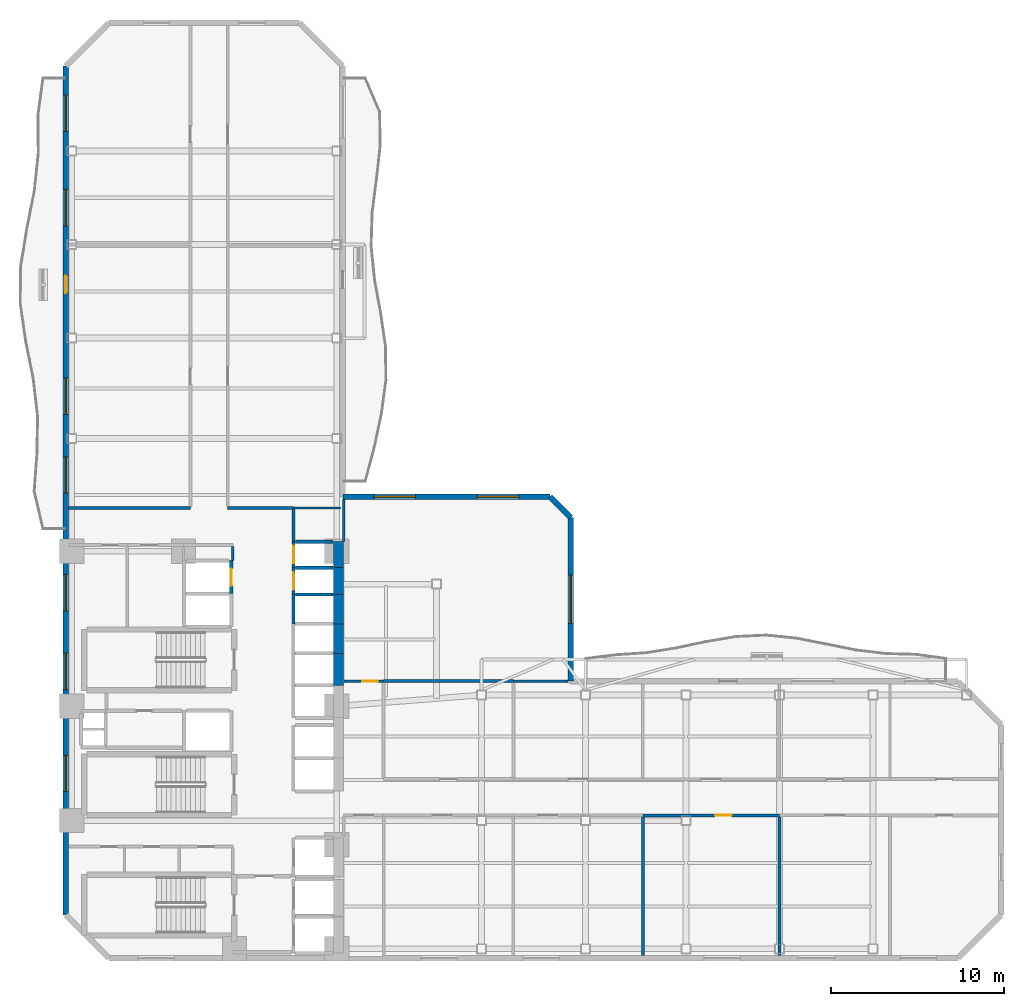
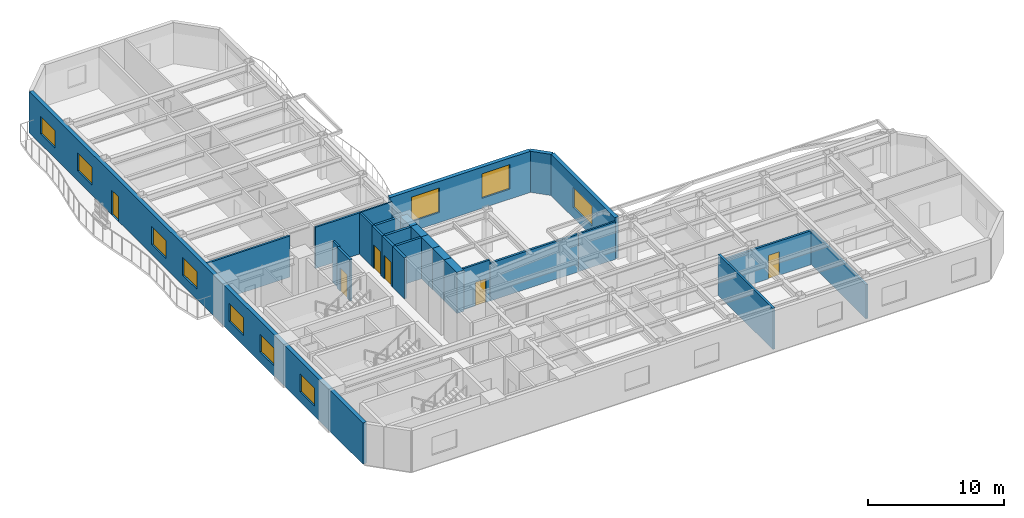
# One storey, part 5 of 10: 28 walls, 10 windows, 6 doors, 16 openings.
"""IFC4 building model written with IfcOpenShell, lengths in metres."""

from ifc_helpers import new_model, si_unit, direction, frame, frame_2d, origin, place, context, subcontext, project, spatial, rectangle, extrude, material, layer, layer_set, type_object, element, fill, save


model = new_model("IFC4")

# Units and contexts
model_context = context("Model", 3, precision=1e-05, world=origin(), true_north=direction((0.0, 1.0)))
body_context = subcontext(model_context, "Body", "Model", "MODEL_VIEW")
ifc_project = project(units=[si_unit("LENGTHUNIT", "METRE"), si_unit("AREAUNIT", "SQUARE_METRE"), si_unit("VOLUMEUNIT", "CUBIC_METRE"), si_unit("PLANEANGLEUNIT", "RADIAN"), si_unit("MASSUNIT", "GRAM", prefix="KILO")], contexts=[model_context])

# Site, building, storey
site_placement = place(None, origin())
site = spatial("IfcSite", under=ifc_project, at=site_placement, CompositionType="ELEMENT")
building_placement = place(site_placement, origin())
building = spatial("IfcBuilding", under=site, at=building_placement, Name="Mawjaban Terraces University", CompositionType="ELEMENT")
storey_placement = place(building_placement, frame((0.0, 0.0, 66.10009765625)))
storey = spatial("IfcBuildingStorey", under=building, at=storey_placement, Name="L15", CompositionType="ELEMENT", Elevation=66.10009765625)

# Wall
ifc_material_1 = material(Name="Acoustic masonry blockwork", Category="masonry")
ifc_layer_1 = layer(ifc_material_1, 0.179931640625)
ifc_layer_set_1 = layer_set([ifc_layer_1], Name="Acoustic masonry blockwork")
wall_type_1 = type_object("IfcWallType", Name="AcousticStudioWall_180", PredefinedType="PARTITIONING", material=ifc_layer_set_1)
wall_1_placement = place(storey_placement, frame((47.840087890625, 16.0, 0.0), z_axis=(0.0, 0.0, 1.0), x_axis=(-1.0, 0.0, 0.0)))
element("IfcWall", 1, at=wall_1_placement, inside=storey, type_object=wall_type_1, Name="L15 Design Studio 3 Partition 22", PredefinedType="PARTITIONING", context=body_context, shape_type="SweptSolid", body=[
    extrude(rectangle(XDim=7.489990234375, YDim=0.179931640625, at=frame_2d((3.7451171875, 0.0))), origin(), (0.0, 0.0, 1.0), 3.389892578125),
])

# Wall, opening, door
wall_2_placement = place(storey_placement, frame((55.320068359375, 8.25, 0.0), z_axis=(0.0, 0.0, 1.0), x_axis=(1.0, 0.0, 0.0)))
wall_2 = element("IfcWall", 2, at=wall_2_placement, inside=storey, type_object=wall_type_1, Name="L15 East Academic Spine Corridor Partition 23", PredefinedType="PARTITIONING", context=body_context, shape_type="SweptSolid", body=[
    extrude(rectangle(XDim=7.8798828125, YDim=0.179931640625, at=frame_2d((3.93994140625, 0.0))), origin(), (0.0, 0.0, 1.0), 3.054931640625),
])
opening_1_placement = place(wall_2_placement, frame((4.1650390625, 0.0, 0.0)))
opening_1 = element("IfcOpeningElement", 3, at=opening_1_placement, cuts=wall_2, Name="Opening ID-095", PredefinedType="OPENING", context=body_context, shape_type="SweptSolid", body=[
    extrude(rectangle(XDim=0.949951171875, YDim=2.10009765625, at=frame_2d((0.47509765625, 1.050048828125))), frame((0.0, 0.099853515625, 0.0), z_axis=(0.0, -1.0, 0.0), x_axis=(1.0, 0.0, 0.0)), (0.0, 0.0, 1.0), 0.199951171875),
])
ifc_material_2 = material(Name="Powder-coated steel frame and solid acoustic timber leaf", Category="steel")
door_type_1 = type_object("IfcDoorType", Name="StudioDoor_950x2100", OperationType="NOTDEFINED", PredefinedType="DOOR", material=ifc_material_2)
door_1_placement = place(opening_1_placement, origin())
door_1 = element("IfcDoor", 4, at=door_1_placement, inside=storey, type_object=door_type_1, Name="L15 Design Studio 6 Door", OperationType="SINGLE_SWING_RIGHT", OverallHeight=2.10009765625, OverallWidth=0.949951171875, PredefinedType="DOOR", context=body_context, shape_type="SweptSolid", body=[
    extrude(rectangle(XDim=0.949951171875, YDim=2.10009765625, at=frame_2d((0.47509765625, 1.050048828125))), frame((0.0, 0.02490234375, 0.0), z_axis=(0.0, -1.0, 0.0), x_axis=(1.0, 0.0, 0.0)), (0.0, 0.0, 1.0), 0.050048828125),
])
fill(opening_1, door_1)

# Walls
wall_3_placement = place(storey_placement, frame((55.320068359375, 0.155029296875, 0.0), z_axis=(0.0, 0.0, 1.0), x_axis=(0.0, 1.0, 0.0)))
element("IfcWall", 5, at=wall_3_placement, inside=storey, type_object=wall_type_1, Name="L15 Computational Laboratory 4 Partition 48", PredefinedType="PARTITIONING", context=body_context, shape_type="SweptSolid", body=[
    extrude(rectangle(XDim=8.010009765625, YDim=0.179931640625, at=frame_2d((4.0048828125, 0.0))), origin(), (0.0, 0.0, 1.0), 3.68994140625),
])
wall_4_placement = place(storey_placement, frame((63.199951171875, 0.155029296875, 0.0), z_axis=(0.0, 0.0, 1.0), x_axis=(0.0, 1.0, 0.0)))
element("IfcWall", 6, at=wall_4_placement, inside=storey, type_object=wall_type_1, Name="L15 Design Studio 6 Partition 50", PredefinedType="PARTITIONING", context=body_context, shape_type="SweptSolid", body=[
    extrude(rectangle(XDim=8.010009765625, YDim=0.179931640625, at=frame_2d((4.0048828125, 0.0))), origin(), (0.0, 0.0, 1.0), 3.054931640625),
])
ifc_material_3 = material(Name="Concrete C70/85", Category="concrete")
ifc_layer_2 = layer(ifc_material_3, 0.60009765625)
ifc_layer_set_2 = layer_set([ifc_layer_2], Name="Concrete C70/85")
wall_type_2 = type_object("IfcWallType", Name="CoreShearWall_600", PredefinedType="SHEAR", material=ifc_layer_set_2)
wall_5_placement = place(storey_placement, frame((37.75, 15.75, 0.0), z_axis=(0.0, 0.0, 1.0), x_axis=(0.0, 1.0, 0.0)))
element("IfcWall", 7, at=wall_5_placement, inside=storey, type_object=wall_type_2, Name="L15 Lift OL-2 Hoistway Wall East", PredefinedType="SHEAR", context=body_context, shape_type="SweptSolid", body=[
    extrude(rectangle(XDim=1.85009765625, YDim=0.60009765625, at=frame_2d((0.925048828125, 0.0))), origin(), (0.0, 0.0, 1.0), 3.68994140625),
])
for number, where, z_axis, x_axis, name in (
    (8, (37.75, 17.60009765625, 0.0), (0.0, 0.0, 1.0), (0.0, 1.0, 0.0), "L15 Lift PL-M1 Hoistway Wall East"),
    (9, (37.75, 19.300048828125, 0.0), (0.0, 0.0, 1.0), (0.0, 1.0, 0.0), "L15 Lift PL-M2 Hoistway Wall East"),
):
    element("IfcWall", number, at=place(storey_placement, frame(where, z_axis=z_axis, x_axis=x_axis)), inside=storey, type_object=wall_type_2, Name=name, PredefinedType="SHEAR", context=body_context, shape_type="SweptSolid", body=[
        extrude(rectangle(XDim=1.699951171875, YDim=0.60009765625, at=frame_2d((0.85009765625, 0.0))), origin(), (0.0, 0.0, 1.0), 3.68994140625),
    ])
wall_6_placement = place(storey_placement, frame((37.75, 21.0, 0.0), z_axis=(0.0, 0.0, 1.0), x_axis=(0.0, 1.0, 0.0)))
element("IfcWall", 10, at=wall_6_placement, inside=storey, type_object=wall_type_2, Name="L15 Lift PL-L1 Hoistway Wall East", PredefinedType="SHEAR", context=body_context, shape_type="SweptSolid", body=[
    extrude(rectangle(XDim=1.550048828125, YDim=0.60009765625, at=frame_2d((0.77490234375, 0.0))), origin(), (0.0, 0.0, 1.0), 3.68994140625),
])
wall_7_placement = place(storey_placement, frame((37.75, 22.550048828125, 0.0), z_axis=(0.0, 0.0, 1.0), x_axis=(0.0, 1.0, 0.0)))
element("IfcWall", 11, at=wall_7_placement, inside=storey, type_object=wall_type_2, Name="L15 Lift PL-L2 Hoistway Wall East", PredefinedType="SHEAR", context=body_context, shape_type="SweptSolid", body=[
    extrude(rectangle(XDim=1.5, YDim=0.60009765625, at=frame_2d((0.75, 0.0))), origin(), (0.0, 0.0, 1.0), 3.68994140625),
])
ifc_material_4 = material(Name="Fire-rated gypsum board on steel stud", Category="steel")
ifc_layer_3 = layer(ifc_material_4, 0.159912109375)
ifc_layer_set_3 = layer_set([ifc_layer_3], Name="Fire-rated gypsum board on steel stud")
wall_type_3 = type_object("IfcWallType", Name="CorridorPartition_160", PredefinedType="PARTITIONING", material=ifc_layer_set_3)
wall_8_placement = place(storey_placement, frame((29.199951171875, 26.0, 0.0), z_axis=(0.0, 0.0, 1.0), x_axis=(-1.0, 0.0, 0.0)))
element("IfcWall", 12, at=wall_8_placement, inside=storey, type_object=wall_type_3, Name="L15 North Core Cross-Corridor Partition 9", PredefinedType="PARTITIONING", context=body_context, shape_type="SweptSolid", body=[
    extrude(rectangle(XDim=7.044921875, YDim=0.159912109375, at=frame_2d((3.5224609375, 0.0))), origin(), (0.0, 0.0, 1.0), 3.68994140625),
])
wall_9_placement = place(storey_placement, frame((35.14990234375, 26.0, 0.0), z_axis=(0.0, 0.0, 1.0), x_axis=(-1.0, 0.0, 0.0)))
element("IfcWall", 13, at=wall_9_placement, inside=storey, type_object=wall_type_3, Name="L15 North Core Cross-Corridor Partition 13", PredefinedType="PARTITIONING", context=body_context, shape_type="SweptSolid", body=[
    extrude(rectangle(XDim=3.7998046875, YDim=0.159912109375, at=frame_2d((1.89990234375, 0.0))), origin(), (0.0, 0.0, 1.0), 3.68994140625),
])

# Wall, opening, door
wall_10_placement = place(storey_placement, frame((40.35009765625, 16.0, 0.0), z_axis=(0.0, 0.0, 1.0), x_axis=(-1.0, 0.0, 0.0)))
wall_10 = element("IfcWall", 14, at=wall_10_placement, inside=storey, type_object=wall_type_3, Name="L15 East Academic Corridor Vestibule Partition 18", PredefinedType="PARTITIONING", context=body_context, shape_type="SweptSolid", body=[
    extrude(rectangle(XDim=2.27001953125, YDim=0.159912109375, at=frame_2d((1.135009765625, 0.0))), origin(), (0.0, 0.0, 1.0), 3.68994140625),
])
opening_2_placement = place(wall_10_placement, frame((0.3349609375, 0.0, 0.0)))
opening_2 = element("IfcOpeningElement", 15, at=opening_2_placement, cuts=wall_10, Name="Opening ID-090", PredefinedType="OPENING", context=body_context, shape_type="SweptSolid", body=[
    extrude(rectangle(XDim=0.89990234375, YDim=2.10009765625, at=frame_2d((0.449951171875, 1.050048828125))), frame((0.0, 0.08984375, 0.0), z_axis=(0.0, -1.0, 0.0), x_axis=(1.0, 0.0, 0.0)), (0.0, 0.0, 1.0), 0.179931640625),
])
door_type_2 = type_object("IfcDoorType", Name="OfficeDoor_900x2100", OperationType="NOTDEFINED", PredefinedType="DOOR", material=ifc_material_2)
door_2_placement = place(opening_2_placement, origin())
door_2 = element("IfcDoor", 16, at=door_2_placement, inside=storey, type_object=door_type_2, Name="L15 Terrace Collaborative Study Room Door", OperationType="SINGLE_SWING_RIGHT", OverallHeight=2.10009765625, OverallWidth=0.89990234375, PredefinedType="DOOR", context=body_context, shape_type="SweptSolid", body=[
    extrude(rectangle(XDim=0.89990234375, YDim=2.10009765625, at=frame_2d((0.449951171875, 1.050048828125))), frame((0.0, 0.02490234375, 0.0), z_axis=(0.0, -1.0, 0.0), x_axis=(1.0, 0.0, 0.0)), (0.0, 0.0, 1.0), 0.050048828125),
])
fill(opening_2, door_2)

# Walls
wall_11_placement = place(storey_placement, frame((31.64990234375, 23.77490234375, 0.0), z_axis=(0.0, 0.0, 1.0), x_axis=(0.0, -1.0, 0.0)))
element("IfcWall", 17, at=wall_11_placement, inside=storey, type_object=wall_type_3, Name="L15 Passenger Lift Lobby Partition 40", PredefinedType="PARTITIONING", context=body_context, shape_type="SweptSolid", body=[
    extrude(rectangle(XDim=0.824951171875, YDim=0.159912109375, at=frame_2d((0.41259765625, 0.0))), origin(), (0.0, 0.0, 1.0), 3.68994140625),
])
wall_12_placement = place(storey_placement, frame((35.14990234375, 24.070068359375, 0.0), z_axis=(0.0, 0.0, 1.0), x_axis=(0.0, 1.0, 0.0)))
element("IfcWall", 18, at=wall_12_placement, inside=storey, type_object=wall_type_3, Name="L15 North Core Cross-Corridor Partition 41", PredefinedType="PARTITIONING", context=body_context, shape_type="SweptSolid", body=[
    extrude(rectangle(XDim=1.85498046875, YDim=0.159912109375, at=frame_2d((0.927490234375, 0.0))), origin(), (0.0, 0.0, 1.0), 3.68994140625),
])

# Wall, opening, window
ifc_material_5 = material(Name="Insulated terracotta rainscreen on concrete backup C40/50", Category="masonry")
ifc_layer_4 = layer(ifc_material_5, 0.320068359375)
ifc_layer_set_4 = layer_set([ifc_layer_4], Name="Insulated terracotta rainscreen on concrete backup C40/50")
wall_type_4 = type_object("IfcWallType", Name="ExtTerracottaWall_320", PredefinedType="SOLIDWALL", material=ifc_layer_set_4)
wall_13_placement = place(storey_placement, frame((51.14990234375, 16.0, 0.0), z_axis=(0.0, 0.0, 1.0), x_axis=(0.0, 1.0, 0.0)))
wall_13 = element("IfcWall", 19, at=wall_13_placement, inside=storey, type_object=wall_type_4, Name="L15 Exterior Terracotta Wall 6", PredefinedType="SOLIDWALL", context=body_context, shape_type="SweptSolid", body=[
    extrude(rectangle(XDim=9.44189453125, YDim=0.320068359375, at=frame_2d((4.720947265625, 0.0))), origin(), (0.0, 0.0, 1.0), 3.68994140625),
])
opening_3_placement = place(wall_13_placement, frame((3.321044921875, 0.0, 0.89990234375)))
opening_3 = element("IfcOpeningElement", 20, at=opening_3_placement, cuts=wall_13, Name="Opening W-09", PredefinedType="OPENING", context=body_context, shape_type="SweptSolid", body=[
    extrude(rectangle(XDim=2.800048828125, YDim=1.800048828125, at=frame_2d((1.39990234375, 0.89990234375))), frame((0.0, 0.169921875, 0.0), z_axis=(0.0, -1.0, 0.0), x_axis=(1.0, 0.0, 0.0)), (0.0, 0.0, 1.0), 0.340087890625),
])
ifc_material_6 = material(Name="Low-E solar-control double glazing in thermally broken aluminium frame", Category="aluminium")
window_type_1 = type_object("IfcWindowType", Name="Win_2800x1800", PartitioningType="SINGLE_PANEL", PredefinedType="WINDOW", material=ifc_material_6)
window_1_placement = place(opening_3_placement, origin())
window_1 = element("IfcWindow", 21, at=window_1_placement, inside=storey, type_object=window_type_1, Name="L15 Facade Window 6.1", OverallHeight=1.800048828125, OverallWidth=2.800048828125, PartitioningType="SINGLE_PANEL", PredefinedType="WINDOW", context=body_context, shape_type="SweptSolid", body=[
    extrude(rectangle(XDim=2.800048828125, YDim=1.800048828125, at=frame_2d((1.39990234375, 0.89990234375))), frame((0.0, 0.030029296875, 0.0), z_axis=(0.0, -1.0, 0.0), x_axis=(1.0, 0.0, 0.0)), (0.0, 0.0, 1.0), 0.06005859375),
])
fill(opening_3, window_1)

# Wall
wall_14_placement = place(storey_placement, frame((51.14990234375, 25.44189453125, 0.0), z_axis=(0.0, 0.0, 1.0), x_axis=(-0.707034851297, 0.707178703759, 0.0)))
element("IfcWall", 22, at=wall_14_placement, inside=storey, type_object=wall_type_4, Name="L15 Exterior Terracotta Wall 7", PredefinedType="SOLIDWALL", context=body_context, shape_type="SweptSolid", body=[
    extrude(rectangle(XDim=1.697265625, YDim=0.320068359375, at=frame_2d((0.8486328125, 0.0))), origin(), (0.0, 0.0, 1.0), 3.68994140625),
])

# Wall, openings, windows
wall_15_placement = place(storey_placement, frame((49.949951171875, 26.64208984375, 0.0), z_axis=(0.0, 0.0, 1.0), x_axis=(-1.0, 0.0, 0.0)))
wall_15 = element("IfcWall", 23, at=wall_15_placement, inside=storey, type_object=wall_type_4, Name="L15 Exterior Terracotta Wall 8", PredefinedType="SOLIDWALL", context=body_context, shape_type="SweptSolid", body=[
    extrude(rectangle(XDim=11.949951171875, YDim=0.320068359375, at=frame_2d((5.97509765625, 0.0))), origin(), (0.0, 0.0, 1.0), 3.68994140625),
])
opening_4_placement = place(wall_15_placement, frame((1.7880859375, 0.0, 0.89990234375)))
opening_4 = element("IfcOpeningElement", 24, at=opening_4_placement, cuts=wall_15, Name="Opening W-11", PredefinedType="OPENING", context=body_context, shape_type="SweptSolid", body=[
    extrude(rectangle(XDim=2.39990234375, YDim=2.199951171875, at=frame_2d((1.199951171875, 1.10009765625))), frame((0.0, 0.169921875, 0.0), z_axis=(0.0, -1.0, 0.0), x_axis=(1.0, 0.0, 0.0)), (0.0, 0.0, 1.0), 0.340087890625),
])
opening_5_placement = place(wall_15_placement, frame((7.762939453125, 0.0, 0.89990234375)))
opening_5 = element("IfcOpeningElement", 25, at=opening_5_placement, cuts=wall_15, Name="Opening W-11", PredefinedType="OPENING", context=body_context, shape_type="SweptSolid", body=[
    extrude(rectangle(XDim=2.39990234375, YDim=2.199951171875, at=frame_2d((1.199951171875, 1.10009765625))), frame((0.0, 0.169921875, 0.0), z_axis=(0.0, -1.0, 0.0), x_axis=(1.0, 0.0, 0.0)), (0.0, 0.0, 1.0), 0.340087890625),
])
window_type_2 = type_object("IfcWindowType", Name="Win_2400x2200", PartitioningType="SINGLE_PANEL", PredefinedType="WINDOW", material=ifc_material_6)
window_2_placement = place(opening_4_placement, origin())
window_2 = element("IfcWindow", 26, at=window_2_placement, inside=storey, type_object=window_type_2, Name="L15 Facade Window 8.1", OverallHeight=2.199951171875, OverallWidth=2.39990234375, PartitioningType="SINGLE_PANEL", PredefinedType="WINDOW", context=body_context, shape_type="SweptSolid", body=[
    extrude(rectangle(XDim=2.39990234375, YDim=2.199951171875, at=frame_2d((1.199951171875, 1.10009765625))), frame((0.0, 0.030029296875, 0.0), z_axis=(0.0, -1.0, 0.0), x_axis=(1.0, 0.0, 0.0)), (0.0, 0.0, 1.0), 0.06005859375),
])
fill(opening_4, window_2)
window_3_placement = place(opening_5_placement, origin())
window_3 = element("IfcWindow", 27, at=window_3_placement, inside=storey, type_object=window_type_2, Name="L15 Facade Window 8.2", OverallHeight=2.199951171875, OverallWidth=2.39990234375, PartitioningType="SINGLE_PANEL", PredefinedType="WINDOW", context=body_context, shape_type="SweptSolid", body=[
    extrude(rectangle(XDim=2.39990234375, YDim=2.199951171875, at=frame_2d((1.199951171875, 1.10009765625))), frame((0.0, 0.030029296875, 0.0), z_axis=(0.0, -1.0, 0.0), x_axis=(1.0, 0.0, 0.0)), (0.0, 0.0, 1.0), 0.06005859375),
])
fill(opening_5, window_3)

# Wall, openings, door, windows
wall_16_placement = place(storey_placement, frame((22.0, 51.5, 0.0), z_axis=(0.0, 0.0, 1.0), x_axis=(0.0, -1.0, 0.0)))
wall_16 = element("IfcWall", 28, at=wall_16_placement, inside=storey, type_object=wall_type_4, Name="L15 Exterior Terracotta Wall 13", PredefinedType="SOLIDWALL", context=body_context, shape_type="SweptSolid", body=[
    extrude(rectangle(XDim=49.0, YDim=0.320068359375, at=frame_2d((24.5, 0.0))), origin(), (0.0, 0.0, 1.0), 3.68994140625),
])
opening_6_placement = place(wall_16_placement, frame((12.10009765625, 0.0, 0.0)))
opening_6 = element("IfcOpeningElement", 29, at=opening_6_placement, cuts=wall_16, Name="Opening BD-100", PredefinedType="OPENING", context=body_context, shape_type="SweptSolid", body=[
    extrude(rectangle(XDim=1.0, YDim=2.199951171875, at=frame_2d((0.5, 1.10009765625))), frame((0.0, 0.169921875, 0.0), z_axis=(0.0, -1.0, 0.0), x_axis=(1.0, 0.0, 0.0)), (0.0, 0.0, 1.0), 0.340087890625),
])
opening_7_placement = place(wall_16_placement, frame((1.672119140625, 0.0, 0.89990234375)))
opening_7 = element("IfcOpeningElement", 30, at=opening_7_placement, cuts=wall_16, Name="Opening W-04", PredefinedType="OPENING", context=body_context, shape_type="SweptSolid", body=[
    extrude(rectangle(XDim=2.10009765625, YDim=1.60009765625, at=frame_2d((1.050048828125, 0.800048828125))), frame((0.0, 0.169921875, 0.0), z_axis=(0.0, -1.0, 0.0), x_axis=(1.0, 0.0, 0.0)), (0.0, 0.0, 1.0), 0.340087890625),
])
opening_8_placement = place(wall_16_placement, frame((7.116943359375, 0.0, 0.89990234375)))
opening_8 = element("IfcOpeningElement", 31, at=opening_8_placement, cuts=wall_16, Name="Opening W-04", PredefinedType="OPENING", context=body_context, shape_type="SweptSolid", body=[
    extrude(rectangle(XDim=2.10009765625, YDim=1.60009765625, at=frame_2d((1.050048828125, 0.800048828125))), frame((0.0, 0.169921875, 0.0), z_axis=(0.0, -1.0, 0.0), x_axis=(1.0, 0.0, 0.0)), (0.0, 0.0, 1.0), 0.340087890625),
])
opening_9_placement = place(wall_16_placement, frame((18.006103515625, 0.0, 0.89990234375)))
opening_9 = element("IfcOpeningElement", 32, at=opening_9_placement, cuts=wall_16, Name="Opening W-04", PredefinedType="OPENING", context=body_context, shape_type="SweptSolid", body=[
    extrude(rectangle(XDim=2.10009765625, YDim=1.60009765625, at=frame_2d((1.050048828125, 0.800048828125))), frame((0.0, 0.169921875, 0.0), z_axis=(0.0, -1.0, 0.0), x_axis=(1.0, 0.0, 0.0)), (0.0, 0.0, 1.0), 0.340087890625),
])
opening_10_placement = place(wall_16_placement, frame((22.550048828125, 0.0, 0.89990234375)))
opening_10 = element("IfcOpeningElement", 33, at=opening_10_placement, cuts=wall_16, Name="Opening W-04", PredefinedType="OPENING", context=body_context, shape_type="SweptSolid", body=[
    extrude(rectangle(XDim=2.10009765625, YDim=1.60009765625, at=frame_2d((1.050048828125, 0.800048828125))), frame((0.0, 0.169921875, 0.0), z_axis=(0.0, -1.0, 0.0), x_axis=(1.0, 0.0, 0.0)), (0.0, 0.0, 1.0), 0.340087890625),
])
opening_11_placement = place(wall_16_placement, frame((29.343994140625, 0.0, 0.89990234375)))
opening_11 = element("IfcOpeningElement", 34, at=opening_11_placement, cuts=wall_16, Name="Opening W-04", PredefinedType="OPENING", context=body_context, shape_type="SweptSolid", body=[
    extrude(rectangle(XDim=2.10009765625, YDim=1.60009765625, at=frame_2d((1.050048828125, 0.800048828125))), frame((0.0, 0.169921875, 0.0), z_axis=(0.0, -1.0, 0.0), x_axis=(1.0, 0.0, 0.0)), (0.0, 0.0, 1.0), 0.340087890625),
])
opening_12_placement = place(wall_16_placement, frame((33.888916015625, 0.0, 0.89990234375)))
opening_12 = element("IfcOpeningElement", 35, at=opening_12_placement, cuts=wall_16, Name="Opening W-04", PredefinedType="OPENING", context=body_context, shape_type="SweptSolid", body=[
    extrude(rectangle(XDim=2.10009765625, YDim=1.60009765625, at=frame_2d((1.050048828125, 0.800048828125))), frame((0.0, 0.169921875, 0.0), z_axis=(0.0, -1.0, 0.0), x_axis=(1.0, 0.0, 0.0)), (0.0, 0.0, 1.0), 0.340087890625),
])
opening_13_placement = place(wall_16_placement, frame((39.782958984375, 0.0, 0.89990234375)))
opening_13 = element("IfcOpeningElement", 36, at=opening_13_placement, cuts=wall_16, Name="Opening W-04", PredefinedType="OPENING", context=body_context, shape_type="SweptSolid", body=[
    extrude(rectangle(XDim=2.10009765625, YDim=1.60009765625, at=frame_2d((1.050048828125, 0.800048828125))), frame((0.0, 0.169921875, 0.0), z_axis=(0.0, -1.0, 0.0), x_axis=(1.0, 0.0, 0.0)), (0.0, 0.0, 1.0), 0.340087890625),
])
ifc_material_7 = material(Name="Thermally broken anodised aluminium and laminated safety glass", Category="aluminium")
door_type_3 = type_object("IfcDoorType", Name="BalconyGlazedDoor_1000x2200", OperationType="NOTDEFINED", PredefinedType="DOOR", material=ifc_material_7)
door_3_placement = place(opening_6_placement, origin())
door_3 = element("IfcDoor", 37, at=door_3_placement, inside=storey, type_object=door_type_3, Name="L15 Balcony Access Door west", OperationType="SINGLE_SWING_RIGHT", OverallHeight=2.199951171875, OverallWidth=1.0, PredefinedType="DOOR", context=body_context, shape_type="SweptSolid", body=[
    extrude(rectangle(XDim=1.0, YDim=2.199951171875, at=frame_2d((0.5, 1.10009765625))), frame((0.0, 0.02490234375, 0.0), z_axis=(0.0, -1.0, 0.0), x_axis=(1.0, 0.0, 0.0)), (0.0, 0.0, 1.0), 0.050048828125),
])
fill(opening_6, door_3)
window_type_3 = type_object("IfcWindowType", Name="Win_2100x1600", PartitioningType="SINGLE_PANEL", PredefinedType="WINDOW", material=ifc_material_6)
window_4_placement = place(opening_7_placement, origin())
window_4 = element("IfcWindow", 38, at=window_4_placement, inside=storey, type_object=window_type_3, Name="L15 Facade Window 13.1", OverallHeight=1.60009765625, OverallWidth=2.10009765625, PartitioningType="SINGLE_PANEL", PredefinedType="WINDOW", context=body_context, shape_type="SweptSolid", body=[
    extrude(rectangle(XDim=2.10009765625, YDim=1.60009765625, at=frame_2d((1.050048828125, 0.800048828125))), frame((0.0, 0.030029296875, 0.0), z_axis=(0.0, -1.0, 0.0), x_axis=(1.0, 0.0, 0.0)), (0.0, 0.0, 1.0), 0.06005859375),
])
fill(opening_7, window_4)
window_5_placement = place(opening_8_placement, origin())
window_5 = element("IfcWindow", 39, at=window_5_placement, inside=storey, type_object=window_type_3, Name="L15 Facade Window 13.2", OverallHeight=1.60009765625, OverallWidth=2.10009765625, PartitioningType="SINGLE_PANEL", PredefinedType="WINDOW", context=body_context, shape_type="SweptSolid", body=[
    extrude(rectangle(XDim=2.10009765625, YDim=1.60009765625, at=frame_2d((1.050048828125, 0.800048828125))), frame((0.0, 0.030029296875, 0.0), z_axis=(0.0, -1.0, 0.0), x_axis=(1.0, 0.0, 0.0)), (0.0, 0.0, 1.0), 0.06005859375),
])
fill(opening_8, window_5)
window_6_placement = place(opening_9_placement, origin())
window_6 = element("IfcWindow", 40, at=window_6_placement, inside=storey, type_object=window_type_3, Name="L15 Facade Window 13.4", OverallHeight=1.60009765625, OverallWidth=2.10009765625, PartitioningType="SINGLE_PANEL", PredefinedType="WINDOW", context=body_context, shape_type="SweptSolid", body=[
    extrude(rectangle(XDim=2.10009765625, YDim=1.60009765625, at=frame_2d((1.050048828125, 0.800048828125))), frame((0.0, 0.030029296875, 0.0), z_axis=(0.0, -1.0, 0.0), x_axis=(1.0, 0.0, 0.0)), (0.0, 0.0, 1.0), 0.06005859375),
])
fill(opening_9, window_6)
window_7_placement = place(opening_10_placement, origin())
window_7 = element("IfcWindow", 41, at=window_7_placement, inside=storey, type_object=window_type_3, Name="L15 Facade Window 13.5", OverallHeight=1.60009765625, OverallWidth=2.10009765625, PartitioningType="SINGLE_PANEL", PredefinedType="WINDOW", context=body_context, shape_type="SweptSolid", body=[
    extrude(rectangle(XDim=2.10009765625, YDim=1.60009765625, at=frame_2d((1.050048828125, 0.800048828125))), frame((0.0, 0.030029296875, 0.0), z_axis=(0.0, -1.0, 0.0), x_axis=(1.0, 0.0, 0.0)), (0.0, 0.0, 1.0), 0.06005859375),
])
fill(opening_10, window_7)
window_8_placement = place(opening_11_placement, origin())
window_8 = element("IfcWindow", 42, at=window_8_placement, inside=storey, type_object=window_type_3, Name="L15 Facade Window 13.6", OverallHeight=1.60009765625, OverallWidth=2.10009765625, PartitioningType="SINGLE_PANEL", PredefinedType="WINDOW", context=body_context, shape_type="SweptSolid", body=[
    extrude(rectangle(XDim=2.10009765625, YDim=1.60009765625, at=frame_2d((1.050048828125, 0.800048828125))), frame((0.0, 0.030029296875, 0.0), z_axis=(0.0, -1.0, 0.0), x_axis=(1.0, 0.0, 0.0)), (0.0, 0.0, 1.0), 0.06005859375),
])
fill(opening_11, window_8)
window_9_placement = place(opening_12_placement, origin())
window_9 = element("IfcWindow", 43, at=window_9_placement, inside=storey, type_object=window_type_3, Name="L15 Facade Window 13.7", OverallHeight=1.60009765625, OverallWidth=2.10009765625, PartitioningType="SINGLE_PANEL", PredefinedType="WINDOW", context=body_context, shape_type="SweptSolid", body=[
    extrude(rectangle(XDim=2.10009765625, YDim=1.60009765625, at=frame_2d((1.050048828125, 0.800048828125))), frame((0.0, 0.030029296875, 0.0), z_axis=(0.0, -1.0, 0.0), x_axis=(1.0, 0.0, 0.0)), (0.0, 0.0, 1.0), 0.06005859375),
])
fill(opening_12, window_9)
window_10_placement = place(opening_13_placement, origin())
window_10 = element("IfcWindow", 44, at=window_10_placement, inside=storey, type_object=window_type_3, Name="L15 Facade Window 13.8", OverallHeight=1.60009765625, OverallWidth=2.10009765625, PartitioningType="SINGLE_PANEL", PredefinedType="WINDOW", context=body_context, shape_type="SweptSolid", body=[
    extrude(rectangle(XDim=2.10009765625, YDim=1.60009765625, at=frame_2d((1.050048828125, 0.800048828125))), frame((0.0, 0.030029296875, 0.0), z_axis=(0.0, -1.0, 0.0), x_axis=(1.0, 0.0, 0.0)), (0.0, 0.0, 1.0), 0.06005859375),
])
fill(opening_13, window_10)

# Walls
ifc_material_8 = material(Name="Concrete C40/50", Category="concrete")
ifc_layer_5 = layer(ifc_material_8, 0.199951171875)
ifc_layer_set_5 = layer_set([ifc_layer_5], Name="Concrete C40/50")
wall_type_5 = type_object("IfcWallType", Name="FireLobbyWall_200", PredefinedType="SOLIDWALL", material=ifc_layer_set_5)
wall_17_placement = place(storey_placement, frame((35.14990234375, 21.0, 0.0), z_axis=(0.0, 0.0, 1.0), x_axis=(0.0, -1.0, 0.0)))
element("IfcWall", 45, at=wall_17_placement, inside=storey, type_object=wall_type_5, Name="L15 Lift PL-M2 Hoistway Wall West", PredefinedType="SOLIDWALL", context=body_context, shape_type="SweptSolid", body=[
    extrude(rectangle(XDim=1.699951171875, YDim=0.199951171875, at=frame_2d((0.85009765625, 0.0))), origin(), (0.0, 0.0, 1.0), 3.68994140625),
])
wall_18_placement = place(storey_placement, frame((37.419921875, 21.0, 0.0), z_axis=(0.0, 0.0, 1.0), x_axis=(-1.0, 0.0, 0.0)))
element("IfcWall", 46, at=wall_18_placement, inside=storey, type_object=wall_type_5, Name="L15 Lift PL-M2 Hoistway Wall North", PredefinedType="SOLIDWALL", context=body_context, shape_type="SweptSolid", body=[
    extrude(rectangle(XDim=2.139892578125, YDim=0.199951171875, at=frame_2d((1.06982421875, 0.0))), origin(), (0.0, 0.0, 1.0), 3.68994140625),
])

# Wall, opening, door
wall_19_placement = place(storey_placement, frame((35.14990234375, 22.550048828125, 0.0), z_axis=(0.0, 0.0, 1.0), x_axis=(0.0, -1.0, 0.0)))
wall_19 = element("IfcWall", 47, at=wall_19_placement, inside=storey, type_object=wall_type_5, Name="L15 Lift PL-L1 Hoistway Wall West", PredefinedType="SOLIDWALL", context=body_context, shape_type="SweptSolid", body=[
    extrude(rectangle(XDim=1.550048828125, YDim=0.199951171875, at=frame_2d((0.77490234375, 0.0))), origin(), (0.0, 0.0, 1.0), 3.68994140625),
])
opening_14_placement = place(wall_19_placement, frame((0.27490234375, 0.0, 0.0)))
opening_14 = element("IfcOpeningElement", 48, at=opening_14_placement, cuts=wall_19, Name="Opening LD-PL-L1", PredefinedType="OPENING", context=body_context, shape_type="SweptSolid", body=[
    extrude(rectangle(XDim=1.0, YDim=2.10009765625, at=frame_2d((0.5, 1.050048828125))), frame((0.0, 0.10986328125, 0.0), z_axis=(0.0, -1.0, 0.0), x_axis=(1.0, 0.0, 0.0)), (0.0, 0.0, 1.0), 0.219970703125),
])
ifc_material_9 = material(Name="Powder-coated steel frame and fire-rated steel-faced leaf", Category="steel")
door_type_4 = type_object("IfcDoorType", Name="LiftLandingSliding_1000x2100", OperationType="NOTDEFINED", PredefinedType="DOOR", material=ifc_material_9)
door_4_placement = place(opening_14_placement, origin())
door_4 = element("IfcDoor", 49, at=door_4_placement, inside=storey, type_object=door_type_4, Name="L15 Lift PL-L1 Sliding Landing Door", OperationType="DOUBLE_DOOR_SLIDING", OverallHeight=2.10009765625, OverallWidth=1.0, PredefinedType="DOOR", context=body_context, shape_type="SweptSolid", body=[
    extrude(rectangle(XDim=1.0, YDim=2.10009765625, at=frame_2d((0.5, 1.050048828125))), frame((0.0, 0.02490234375, 0.0), z_axis=(0.0, -1.0, 0.0), x_axis=(1.0, 0.0, 0.0)), (0.0, 0.0, 1.0), 0.050048828125),
])
fill(opening_14, door_4)

# Wall
wall_20_placement = place(storey_placement, frame((37.419921875, 22.550048828125, 0.0), z_axis=(0.0, 0.0, 1.0), x_axis=(-1.0, 0.0, 0.0)))
element("IfcWall", 50, at=wall_20_placement, inside=storey, type_object=wall_type_5, Name="L15 Lift PL-L1 Hoistway Wall North", PredefinedType="SOLIDWALL", context=body_context, shape_type="SweptSolid", body=[
    extrude(rectangle(XDim=2.139892578125, YDim=0.199951171875, at=frame_2d((1.06982421875, 0.0))), origin(), (0.0, 0.0, 1.0), 3.68994140625),
])

# Wall, opening, door
wall_21_placement = place(storey_placement, frame((35.14990234375, 24.050048828125, 0.0), z_axis=(0.0, 0.0, 1.0), x_axis=(0.0, -1.0, 0.0)))
wall_21 = element("IfcWall", 51, at=wall_21_placement, inside=storey, type_object=wall_type_5, Name="L15 Lift PL-L2 Hoistway Wall West", PredefinedType="SOLIDWALL", context=body_context, shape_type="SweptSolid", body=[
    extrude(rectangle(XDim=1.5, YDim=0.199951171875, at=frame_2d((0.75, 0.0))), origin(), (0.0, 0.0, 1.0), 3.68994140625),
])
opening_15_placement = place(wall_21_placement, frame((0.25, 0.0, 0.0)))
opening_15 = element("IfcOpeningElement", 52, at=opening_15_placement, cuts=wall_21, Name="Opening LD-PL-L2", PredefinedType="OPENING", context=body_context, shape_type="SweptSolid", body=[
    extrude(rectangle(XDim=1.0, YDim=2.10009765625, at=frame_2d((0.5, 1.050048828125))), frame((0.0, 0.10986328125, 0.0), z_axis=(0.0, -1.0, 0.0), x_axis=(1.0, 0.0, 0.0)), (0.0, 0.0, 1.0), 0.219970703125),
])
door_5_placement = place(opening_15_placement, origin())
door_5 = element("IfcDoor", 53, at=door_5_placement, inside=storey, type_object=door_type_4, Name="L15 Lift PL-L2 Sliding Landing Door", OperationType="DOUBLE_DOOR_SLIDING", OverallHeight=2.10009765625, OverallWidth=1.0, PredefinedType="DOOR", context=body_context, shape_type="SweptSolid", body=[
    extrude(rectangle(XDim=1.0, YDim=2.10009765625, at=frame_2d((0.5, 1.050048828125))), frame((0.0, 0.02490234375, 0.0), z_axis=(0.0, -1.0, 0.0), x_axis=(1.0, 0.0, 0.0)), (0.0, 0.0, 1.0), 0.050048828125),
])
fill(opening_15, door_5)

# Wall
wall_22_placement = place(storey_placement, frame((37.419921875, 24.050048828125, 0.0), z_axis=(0.0, 0.0, 1.0), x_axis=(-1.0, 0.0, 0.0)))
element("IfcWall", 54, at=wall_22_placement, inside=storey, type_object=wall_type_5, Name="L15 Lift PL-L2 Hoistway Wall North", PredefinedType="SOLIDWALL", context=body_context, shape_type="SweptSolid", body=[
    extrude(rectangle(XDim=2.139892578125, YDim=0.199951171875, at=frame_2d((1.06982421875, 0.0))), origin(), (0.0, 0.0, 1.0), 3.68994140625),
])

# Wall, opening, door
wall_23_placement = place(storey_placement, frame((31.550048828125, 21.050048828125, 0.0), z_axis=(0.0, 0.0, 1.0), x_axis=(0.0, 1.0, 0.0)))
wall_23 = element("IfcWall", 55, at=wall_23_placement, inside=storey, type_object=wall_type_5, Name="L15 Lift PL-L3 Hoistway Wall East", PredefinedType="SOLIDWALL", context=body_context, shape_type="SweptSolid", body=[
    extrude(rectangle(XDim=1.89990234375, YDim=0.199951171875, at=frame_2d((0.949951171875, 0.0))), origin(), (0.0, 0.0, 1.0), 3.68994140625),
])
opening_16_placement = place(wall_23_placement, frame((0.449951171875, 0.0, 0.0)))
opening_16 = element("IfcOpeningElement", 56, at=opening_16_placement, cuts=wall_23, Name="Opening LD-PL-L3", PredefinedType="OPENING", context=body_context, shape_type="SweptSolid", body=[
    extrude(rectangle(XDim=1.0, YDim=2.10009765625, at=frame_2d((0.5, 1.050048828125))), frame((0.0, 0.10986328125, 0.0), z_axis=(0.0, -1.0, 0.0), x_axis=(1.0, 0.0, 0.0)), (0.0, 0.0, 1.0), 0.219970703125),
])
door_6_placement = place(opening_16_placement, origin())
door_6 = element("IfcDoor", 57, at=door_6_placement, inside=storey, type_object=door_type_4, Name="L15 Lift PL-L3 Sliding Landing Door", OperationType="DOUBLE_DOOR_SLIDING", OverallHeight=2.10009765625, OverallWidth=1.0, PredefinedType="DOOR", context=body_context, shape_type="SweptSolid", body=[
    extrude(rectangle(XDim=1.0, YDim=2.10009765625, at=frame_2d((0.5, 1.050048828125))), frame((0.0, 0.02490234375, 0.0), z_axis=(0.0, -1.0, 0.0), x_axis=(1.0, 0.0, 0.0)), (0.0, 0.0, 1.0), 0.050048828125),
])
fill(opening_16, door_6)

# Walls
ifc_material_10 = material(Name="Moisture-resistant gypsum board on steel stud", Category="steel")
ifc_layer_6 = layer(ifc_material_10, 0.14501953125)
ifc_layer_set_6 = layer_set([ifc_layer_6], Name="Moisture-resistant gypsum board on steel stud")
wall_type_6 = type_object("IfcWallType", Name="LabPartition_145", PredefinedType="PARTITIONING", material=ifc_layer_set_6)
wall_24_placement = place(storey_placement, frame((47.840087890625, 16.0, 0.0), z_axis=(0.0, 0.0, 1.0), x_axis=(1.0, 0.0, 0.0)))
element("IfcWall", 58, at=wall_24_placement, inside=storey, type_object=wall_type_6, Name="L15 Terrace Collaborative Study Room Partition 21", PredefinedType="PARTITIONING", context=body_context, shape_type="SweptSolid", body=[
    extrude(rectangle(XDim=3.155029296875, YDim=0.14501953125, at=frame_2d((1.57763671875, 0.0))), origin(), (0.0, 0.0, 1.0), 3.389892578125),
])
ifc_material_11 = material(Name="Gypsum plasterboard on steel stud", Category="steel")
ifc_layer_7 = layer(ifc_material_11, 0.125)
ifc_layer_set_7 = layer_set([ifc_layer_7], Name="Gypsum plasterboard on steel stud")
wall_type_7 = type_object("IfcWallType", Name="OfficePartition_125", PredefinedType="PARTITIONING", material=ifc_layer_set_7)
wall_25_placement = place(storey_placement, frame((35.14990234375, 26.0, 0.0), z_axis=(0.0, 0.0, 1.0), x_axis=(1.0, 0.0, 0.0)))
element("IfcWall", 59, at=wall_25_placement, inside=storey, type_object=wall_type_7, Name="L15 Classroom 13 Partition 14", PredefinedType="PARTITIONING", context=body_context, shape_type="SweptSolid", body=[
    extrude(rectangle(XDim=2.7001953125, YDim=0.125, at=frame_2d((1.35009765625, 0.0))), origin(), (0.0, 0.0, 1.0), 3.68994140625),
])
wall_26_placement = place(storey_placement, frame((38.050048828125, 26.487060546875, 0.0), z_axis=(0.0, 0.0, 1.0), x_axis=(0.0, -1.0, 0.0)))
element("IfcWall", 60, at=wall_26_placement, inside=storey, type_object=wall_type_7, Name="L15 Terrace Collaborative Study Room Partition 43", PredefinedType="PARTITIONING", context=body_context, shape_type="SweptSolid", body=[
    extrude(rectangle(XDim=2.43701171875, YDim=0.125, at=frame_2d((1.218505859375, 0.0))), origin(), (0.0, 0.0, 1.0), 3.054931640625),
])

save(model, "model.ifc")
